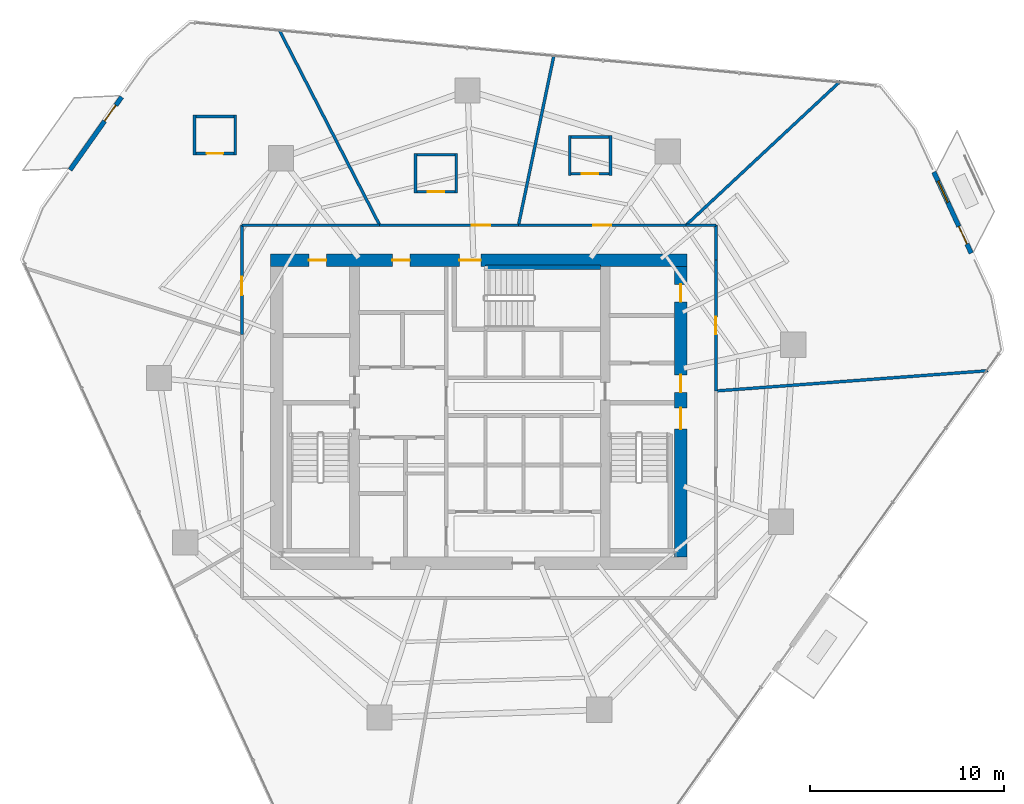
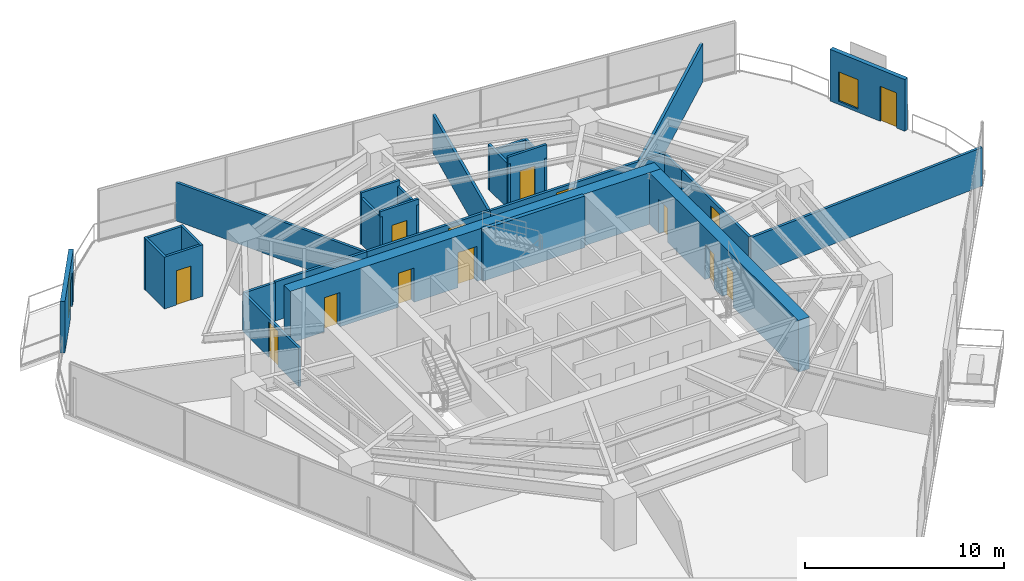
# One storey, part 27 of 30: 29 walls, 15 doors, 1 window, 16 openings.
"""IFC4 building model written with IfcOpenShell, lengths in metres."""

from ifc_helpers import new_model, si_unit, direction, frame, frame_2d, origin, place, context, subcontext, project, spatial, rectangle, extrude, material, layer, layer_set, type_object, element, fill, save


model = new_model("IFC4")

# Units and contexts
model_context = context("Model", 3, precision=1e-05, world=origin(), true_north=direction((0.0, 1.0)))
body_context = subcontext(model_context, "Body", "Model", "MODEL_VIEW")
ifc_project = project(units=[si_unit("LENGTHUNIT", "METRE"), si_unit("AREAUNIT", "SQUARE_METRE"), si_unit("VOLUMEUNIT", "CUBIC_METRE"), si_unit("PLANEANGLEUNIT", "RADIAN"), si_unit("MASSUNIT", "GRAM", prefix="KILO")], contexts=[model_context])

# Site, building, storey
site_placement = place(None, origin())
site = spatial("IfcSite", under=ifc_project, at=site_placement, CompositionType="ELEMENT")
building_placement = place(site_placement, origin())
building = spatial("IfcBuilding", under=site, at=building_placement, Name="Qarnah Convention Tower", CompositionType="ELEMENT")
storey_placement = place(building_placement, frame((0.0, 0.0, 47.699951171875)))
storey = spatial("IfcBuildingStorey", under=building, at=storey_placement, Name="L11", CompositionType="ELEMENT", Elevation=47.699951171875)

# Wall, openings, doors
ifc_material_1 = material(Name="Concrete C60/75", Category="concrete")
ifc_layer_1 = layer(ifc_material_1, 0.64990234375)
ifc_layer_set_1 = layer_set([ifc_layer_1], Name="Concrete C60/75")
wall_type_1 = type_object("IfcWallType", Name="WL-CORE-650", PredefinedType="SHEAR", material=ifc_layer_set_1)
wall_1_placement = place(storey_placement, frame((26.47509765625, 34.199951171875, 0.0), z_axis=(0.0, 0.0, 1.0), x_axis=(1.0, 0.0, 0.0)))
wall_1 = element("IfcWall", 1, at=wall_1_placement, inside=storey, type_object=wall_type_1, Name="L11 core north shear wall", PredefinedType="SHEAR", context=body_context, shape_type="SweptSolid", body=[
    extrude(rectangle(XDim=21.449951171875, YDim=0.64990234375, at=frame_2d((10.72509765625, 0.0))), origin(), (0.0, 0.0, 1.0), 3.170166015625),
])
opening_1_placement = place(wall_1_placement, frame((9.72509765625, 0.0, 0.0)))
opening_1 = element("IfcOpeningElement", 2, at=opening_1_placement, cuts=wall_1, Name="Opening D-1103", PredefinedType="OPENING", context=body_context, shape_type="SweptSolid", body=[
    extrude(rectangle(XDim=1.10009765625, YDim=2.14990234375, at=frame_2d((0.550048828125, 1.074951171875))), frame((0.0, 0.3349609375, 0.0), z_axis=(0.0, -1.0, 0.0), x_axis=(1.0, 0.0, 0.0)), (0.0, 0.0, 1.0), 0.669921875),
])
opening_2_placement = place(wall_1_placement, frame((1.97509765625, 0.0, 0.0)))
opening_2 = element("IfcOpeningElement", 3, at=opening_2_placement, cuts=wall_1, Name="Opening D-1109", PredefinedType="OPENING", context=body_context, shape_type="SweptSolid", body=[
    extrude(rectangle(XDim=0.89990234375, YDim=2.10009765625, at=frame_2d((0.449951171875, 1.050048828125))), frame((0.0, 0.3349609375, 0.0), z_axis=(0.0, -1.0, 0.0), x_axis=(1.0, 0.0, 0.0)), (0.0, 0.0, 1.0), 0.669921875),
])
opening_3_placement = place(wall_1_placement, frame((6.27490234375, 0.0, 0.0)))
opening_3 = element("IfcOpeningElement", 4, at=opening_3_placement, cuts=wall_1, Name="Opening D-1110", PredefinedType="OPENING", context=body_context, shape_type="SweptSolid", body=[
    extrude(rectangle(XDim=0.89990234375, YDim=2.10009765625, at=frame_2d((0.449951171875, 1.050048828125))), frame((0.0, 0.3349609375, 0.0), z_axis=(0.0, -1.0, 0.0), x_axis=(1.0, 0.0, 0.0)), (0.0, 0.0, 1.0), 0.669921875),
])
ifc_material_2 = material(Name="Structural steel S355JR", Category="steel")
door_type_1 = type_object("IfcDoorType", Name="DT-RISER-900", OperationType="NOTDEFINED", PredefinedType="DOOR", material=ifc_material_2)
door_1_placement = place(opening_2_placement, origin())
door_1 = element("IfcDoor", 5, at=door_1_placement, inside=storey, type_object=door_type_1, Name="Door D-1109", OperationType="SINGLE_SWING_LEFT", OverallHeight=2.10009765625, OverallWidth=0.89990234375, PredefinedType="DOOR", context=body_context, shape_type="SweptSolid", body=[
    extrude(rectangle(XDim=0.89990234375, YDim=2.10009765625, at=frame_2d((0.449951171875, 1.050048828125))), frame((0.0, 0.02490234375, 0.0), z_axis=(0.0, -1.0, 0.0), x_axis=(1.0, 0.0, 0.0)), (0.0, 0.0, 1.0), 0.050048828125),
])
fill(opening_2, door_1)
door_2_placement = place(opening_3_placement, origin())
door_2 = element("IfcDoor", 6, at=door_2_placement, inside=storey, type_object=door_type_1, Name="Door D-1110", OperationType="SINGLE_SWING_RIGHT", OverallHeight=2.10009765625, OverallWidth=0.89990234375, PredefinedType="DOOR", context=body_context, shape_type="SweptSolid", body=[
    extrude(rectangle(XDim=0.89990234375, YDim=2.10009765625, at=frame_2d((0.449951171875, 1.050048828125))), frame((0.0, 0.02490234375, 0.0), z_axis=(0.0, -1.0, 0.0), x_axis=(1.0, 0.0, 0.0)), (0.0, 0.0, 1.0), 0.050048828125),
])
fill(opening_3, door_2)
door_type_2 = type_object("IfcDoorType", Name="DT-STAIR-1100", OperationType="NOTDEFINED", PredefinedType="DOOR", material=ifc_material_2)
door_3_placement = place(opening_1_placement, origin())
door_3 = element("IfcDoor", 7, at=door_3_placement, inside=storey, type_object=door_type_2, Name="Door D-1103", OperationType="SINGLE_SWING_LEFT", OverallHeight=2.14990234375, OverallWidth=1.10009765625, PredefinedType="DOOR", context=body_context, shape_type="SweptSolid", body=[
    extrude(rectangle(XDim=1.10009765625, YDim=2.14990234375, at=frame_2d((0.550048828125, 1.074951171875))), frame((0.0, 0.02490234375, 0.0), z_axis=(0.0, -1.0, 0.0), x_axis=(1.0, 0.0, 0.0)), (0.0, 0.0, 1.0), 0.050048828125),
])
fill(opening_1, door_3)

wall_2_placement = place(storey_placement, frame((47.60009765625, 18.925048828125, 0.0), z_axis=(0.0, 0.0, 1.0), x_axis=(0.0, 1.0, 0.0)))
wall_2 = element("IfcWall", 8, at=wall_2_placement, inside=storey, type_object=wall_type_1, Name="L11 core east shear wall", PredefinedType="SHEAR", context=body_context, shape_type="SweptSolid", body=[
    extrude(rectangle(XDim=14.949951171875, YDim=0.64990234375, at=frame_2d((7.47509765625, 0.0))), origin(), (0.0, 0.0, 1.0), 3.170166015625),
])
opening_4_placement = place(wall_2_placement, frame((6.574951171875, 0.0, 0.0)))
opening_4 = element("IfcOpeningElement", 9, at=opening_4_placement, cuts=wall_2, Name="Opening D-1102", PredefinedType="OPENING", context=body_context, shape_type="SweptSolid", body=[
    extrude(rectangle(XDim=1.10009765625, YDim=2.14990234375, at=frame_2d((0.550048828125, 1.074951171875))), frame((0.0, 0.3349609375, 0.0), z_axis=(0.0, -1.0, 0.0), x_axis=(1.0, 0.0, 0.0)), (0.0, 0.0, 1.0), 0.669921875),
])
opening_5_placement = place(wall_2_placement, frame((8.47509765625, 0.0, 0.0)))
opening_5 = element("IfcOpeningElement", 10, at=opening_5_placement, cuts=wall_2, Name="Opening D-1106", PredefinedType="OPENING", context=body_context, shape_type="SweptSolid", body=[
    extrude(rectangle(XDim=0.89990234375, YDim=2.10009765625, at=frame_2d((0.449951171875, 1.050048828125))), frame((0.0, 0.3349609375, 0.0), z_axis=(0.0, -1.0, 0.0), x_axis=(1.0, 0.0, 0.0)), (0.0, 0.0, 1.0), 0.669921875),
])
opening_6_placement = place(wall_2_placement, frame((13.125, 0.0, 0.0)))
opening_6 = element("IfcOpeningElement", 11, at=opening_6_placement, cuts=wall_2, Name="Opening D-1112", PredefinedType="OPENING", context=body_context, shape_type="SweptSolid", body=[
    extrude(rectangle(XDim=0.89990234375, YDim=2.10009765625, at=frame_2d((0.449951171875, 1.050048828125))), frame((0.0, 0.3349609375, 0.0), z_axis=(0.0, -1.0, 0.0), x_axis=(1.0, 0.0, 0.0)), (0.0, 0.0, 1.0), 0.669921875),
])
door_4_placement = place(opening_5_placement, origin())
door_4 = element("IfcDoor", 12, at=door_4_placement, inside=storey, type_object=door_type_1, Name="Door D-1106", OperationType="SINGLE_SWING_RIGHT", OverallHeight=2.10009765625, OverallWidth=0.89990234375, PredefinedType="DOOR", context=body_context, shape_type="SweptSolid", body=[
    extrude(rectangle(XDim=0.89990234375, YDim=2.10009765625, at=frame_2d((0.449951171875, 1.050048828125))), frame((0.0, 0.02490234375, 0.0), z_axis=(0.0, -1.0, 0.0), x_axis=(1.0, 0.0, 0.0)), (0.0, 0.0, 1.0), 0.050048828125),
])
fill(opening_5, door_4)
door_5_placement = place(opening_6_placement, origin())
door_5 = element("IfcDoor", 13, at=door_5_placement, inside=storey, type_object=door_type_1, Name="Door D-1112", OperationType="SINGLE_SWING_RIGHT", OverallHeight=2.10009765625, OverallWidth=0.89990234375, PredefinedType="DOOR", context=body_context, shape_type="SweptSolid", body=[
    extrude(rectangle(XDim=0.89990234375, YDim=2.10009765625, at=frame_2d((0.449951171875, 1.050048828125))), frame((0.0, 0.02490234375, 0.0), z_axis=(0.0, -1.0, 0.0), x_axis=(1.0, 0.0, 0.0)), (0.0, 0.0, 1.0), 0.050048828125),
])
fill(opening_6, door_5)
door_6_placement = place(opening_4_placement, origin())
door_6 = element("IfcDoor", 14, at=door_6_placement, inside=storey, type_object=door_type_2, Name="Door D-1102", OperationType="SINGLE_SWING_RIGHT", OverallHeight=2.14990234375, OverallWidth=1.10009765625, PredefinedType="DOOR", context=body_context, shape_type="SweptSolid", body=[
    extrude(rectangle(XDim=1.10009765625, YDim=2.14990234375, at=frame_2d((0.550048828125, 1.074951171875))), frame((0.0, 0.02490234375, 0.0), z_axis=(0.0, -1.0, 0.0), x_axis=(1.0, 0.0, 0.0)), (0.0, 0.0, 1.0), 0.050048828125),
])
fill(opening_4, door_6)

# Wall
ifc_layer_2 = layer(ifc_material_1, 0.219970703125)
ifc_layer_set_2 = layer_set([ifc_layer_2], Name="Concrete C60/75")
wall_type_2 = type_object("IfcWallType", Name="WL-CORE-STAIR-220", PredefinedType="SHEAR", material=ifc_layer_set_2)
wall_3_placement = place(storey_placement, frame((37.550048828125, 33.840087890625, 0.0), z_axis=(0.0, 0.0, 1.0), x_axis=(1.0, 0.0, 0.0)))
element("IfcWall", 15, at=wall_3_placement, inside=storey, type_object=wall_type_2, Name="L11 stair shaft shear wall SW-L11-ST3N", PredefinedType="SHEAR", context=body_context, shape_type="SweptSolid", body=[
    extrude(rectangle(XDim=5.89990234375, YDim=0.219970703125, at=frame_2d((2.949951171875, 0.0))), origin(), (0.0, 0.0, 1.0), 3.170166015625),
])

# Wall, openings, door, window
ifc_material_3 = material(Name="Precast concrete C45/55", Category="concrete")
ifc_layer_3 = layer(ifc_material_3, 0.239990234375)
ifc_layer_set_3 = layer_set([ifc_layer_3], Name="Precast concrete C45/55")
wall_type_3 = type_object("IfcWallType", Name="WL-EXT-BAL-240", PredefinedType="SOLIDWALL", material=ifc_layer_set_3)
wall_4_placement = place(storey_placement, frame((60.6220703125, 38.737060546875, 0.0), z_axis=(0.0, 0.0, 1.0), x_axis=(0.418001098353, -0.908446521142, 0.0)))
wall_4 = element("IfcWall", 16, at=wall_4_placement, inside=storey, type_object=wall_type_3, Name="L11 loggia threshold wall BAL-L11-C1", PredefinedType="SOLIDWALL", context=body_context, shape_type="SweptSolid", body=[
    extrude(rectangle(XDim=4.60009765625, YDim=0.239990234375, at=frame_2d((2.300048828125, 0.0))), origin(), (0.0, 0.0, 1.0), 3.170166015625),
])
opening_7_placement = place(wall_4_placement, frame((3.080078125, 0.0, 0.0)))
opening_7 = element("IfcOpeningElement", 17, at=opening_7_placement, cuts=wall_4, Name="Opening BD-1101", PredefinedType="OPENING", context=body_context, shape_type="SweptSolid", body=[
    extrude(rectangle(XDim=1.0, YDim=2.14990234375, at=frame_2d((0.5, 1.074951171875))), frame((0.0, 0.1298828125, 0.0), z_axis=(0.0, -1.0, 0.0), x_axis=(1.0, 0.0, 0.0)), (0.0, 0.0, 1.0), 0.260009765625),
])
opening_8_placement = place(wall_4_placement, frame((0.52001953125, 0.0, 0.199951171875)))
opening_8 = element("IfcOpeningElement", 18, at=opening_8_placement, cuts=wall_4, Name="Opening WN5", PredefinedType="OPENING", context=body_context, shape_type="SweptSolid", body=[
    extrude(rectangle(XDim=1.199951171875, YDim=1.800048828125, at=frame_2d((0.60009765625, 0.89990234375))), frame((0.0, 0.1298828125, 0.0), z_axis=(0.0, -1.0, 0.0), x_axis=(1.0, 0.0, 0.0)), (0.0, 0.0, 1.0), 0.260009765625),
])
ifc_material_4 = material(Name="Black anodised aluminium", Category="aluminium")
door_type_3 = type_object("IfcDoorType", Name="DT-BAL-1000", OperationType="NOTDEFINED", PredefinedType="DOOR", material=ifc_material_4)
door_7_placement = place(opening_7_placement, origin())
door_7 = element("IfcDoor", 19, at=door_7_placement, inside=storey, type_object=door_type_3, Name="L11 balcony terrace door BAL-L11-C1", OperationType="SINGLE_SWING_LEFT", OverallHeight=2.14990234375, OverallWidth=1.0, PredefinedType="DOOR", context=body_context, shape_type="SweptSolid", body=[
    extrude(rectangle(XDim=1.0, YDim=2.14990234375, at=frame_2d((0.5, 1.074951171875))), frame((0.0, 0.02490234375, 0.0), z_axis=(0.0, -1.0, 0.0), x_axis=(1.0, 0.0, 0.0)), (0.0, 0.0, 1.0), 0.050048828125),
])
fill(opening_7, door_7)
ifc_material_5 = material(Name="Tempered Low-E dark glass", Category="glass")
window_type = type_object("IfcWindowType", Name="WT-BAL-1200X1800", PartitioningType="SINGLE_PANEL", PredefinedType="WINDOW", material=ifc_material_5)
window_placement = place(opening_8_placement, origin())
window = element("IfcWindow", 20, at=window_placement, inside=storey, type_object=window_type, Name="Window BW-BAL-L11-C1", OverallHeight=1.800048828125, OverallWidth=1.199951171875, PartitioningType="SINGLE_PANEL", PredefinedType="WINDOW", context=body_context, shape_type="SweptSolid", body=[
    extrude(rectangle(XDim=1.199951171875, YDim=1.800048828125, at=frame_2d((0.60009765625, 0.89990234375))), frame((0.0, 0.030029296875, 0.0), z_axis=(0.0, -1.0, 0.0), x_axis=(1.0, 0.0, 0.0)), (0.0, 0.0, 1.0), 0.06005859375),
])
fill(opening_8, window)

# Wall, opening, door
wall_5_placement = place(storey_placement, frame((16.156982421875, 38.844970703125, 0.0), z_axis=(0.0, 0.0, 1.0), x_axis=(0.577597585824, 0.816321645462, 0.0)))
wall_5 = element("IfcWall", 21, at=wall_5_placement, inside=storey, type_object=wall_type_3, Name="L11 loggia threshold wall BAL-L11-C2", PredefinedType="SOLIDWALL", context=body_context, shape_type="SweptSolid", body=[
    extrude(rectangle(XDim=4.60009765625, YDim=0.239990234375, at=frame_2d((2.300048828125, 0.0))), origin(), (0.0, 0.0, 1.0), 3.170166015625),
])
opening_9_placement = place(wall_5_placement, frame((3.080078125, 0.0, 0.0)))
opening_9 = element("IfcOpeningElement", 22, at=opening_9_placement, cuts=wall_5, Name="Opening BD-1102", PredefinedType="OPENING", context=body_context, shape_type="SweptSolid", body=[
    extrude(rectangle(XDim=1.0, YDim=2.14990234375, at=frame_2d((0.5, 1.074951171875))), frame((0.0, 0.1298828125, 0.0), z_axis=(0.0, -1.0, 0.0), x_axis=(1.0, 0.0, 0.0)), (0.0, 0.0, 1.0), 0.260009765625),
])
door_8_placement = place(opening_9_placement, origin())
door_8 = element("IfcDoor", 23, at=door_8_placement, inside=storey, type_object=door_type_3, Name="L11 balcony terrace door BAL-L11-C2", OperationType="SINGLE_SWING_RIGHT", OverallHeight=2.14990234375, OverallWidth=1.0, PredefinedType="DOOR", context=body_context, shape_type="SweptSolid", body=[
    extrude(rectangle(XDim=1.0, YDim=2.14990234375, at=frame_2d((0.5, 1.074951171875))), frame((0.0, 0.02490234375, 0.0), z_axis=(0.0, -1.0, 0.0), x_axis=(1.0, 0.0, 0.0)), (0.0, 0.0, 1.0), 0.050048828125),
])
fill(opening_9, door_8)

# Walls
ifc_material_6 = material(Name="Gypsum partition board")
ifc_layer_4 = layer(ifc_material_6, 0.14990234375)
ifc_layer_set_4 = layer_set([ifc_layer_4], Name="Gypsum partition board")
wall_type_4 = type_object("IfcWallType", Name="WL-SUITE-150", PredefinedType="PARTITIONING", material=ifc_layer_set_4)
wall_6_placement = place(storey_placement, frame((55.806884765625, 43.407958984375, 0.0), z_axis=(0.0, 0.0, 1.0), x_axis=(-0.731386276876, -0.681963425704, 0.0)))
element("IfcWall", 24, at=wall_6_placement, inside=storey, type_object=wall_type_4, Name="L11 interior wall IW-L11-R-13", PredefinedType="PARTITIONING", context=body_context, shape_type="SweptSolid", body=[
    extrude(rectangle(XDim=10.86279296875, YDim=0.14990234375, at=frame_2d((5.431396484375, 0.0))), origin(), (0.0, 0.0, 1.0), 2.35498046875),
])
wall_7_placement = place(storey_placement, frame((47.862060546875, 36.0, 0.0), z_axis=(0.0, 0.0, 1.0), x_axis=(1.0, 0.0, 0.0)))
element("IfcWall", 25, at=wall_7_placement, inside=storey, type_object=wall_type_4, Name="L11 interior wall IW-L11-R-14", PredefinedType="PARTITIONING", context=body_context, shape_type="SweptSolid", body=[
    extrude(rectangle(XDim=1.537841796875, YDim=0.14990234375, at=frame_2d((0.76904296875, 0.0))), origin(), (0.0, 0.0, 1.0), 2.35498046875),
])
wall_8_placement = place(storey_placement, frame((49.39990234375, 36.0, 0.0), z_axis=(0.0, 0.0, 1.0), x_axis=(0.0, -1.0, 0.0)))
element("IfcWall", 26, at=wall_8_placement, inside=storey, type_object=wall_type_4, Name="L11 interior wall IW-L11-R-15", PredefinedType="PARTITIONING", context=body_context, shape_type="SweptSolid", body=[
    extrude(rectangle(XDim=1.800048828125, YDim=0.14990234375, at=frame_2d((0.89990234375, 0.0))), origin(), (0.0, 0.0, 1.0), 2.35498046875),
])

# Wall, opening, door
wall_9_placement = place(storey_placement, frame((49.39990234375, 34.199951171875, 0.0), z_axis=(0.0, 0.0, 1.0), x_axis=(0.0, -1.0, 0.0)))
wall_9 = element("IfcWall", 27, at=wall_9_placement, inside=storey, type_object=wall_type_4, Name="L11 interior wall IW-L11-R-16", PredefinedType="PARTITIONING", context=body_context, shape_type="SweptSolid", body=[
    extrude(rectangle(XDim=6.73291015625, YDim=0.14990234375, at=frame_2d((3.366455078125, 0.0))), origin(), (0.0, 0.0, 1.0), 2.39501953125),
])
opening_10_placement = place(wall_9_placement, frame((2.9169921875, 0.0, 0.0)))
opening_10 = element("IfcOpeningElement", 28, at=opening_10_placement, cuts=wall_9, Name="Opening D-1116", PredefinedType="OPENING", context=body_context, shape_type="SweptSolid", body=[
    extrude(rectangle(XDim=0.89990234375, YDim=2.0, at=frame_2d((0.449951171875, 1.0))), frame((0.0, 0.0849609375, 0.0), z_axis=(0.0, -1.0, 0.0), x_axis=(1.0, 0.0, 0.0)), (0.0, 0.0, 1.0), 0.169921875),
])
door_type_4 = type_object("IfcDoorType", Name="DT-PLANT-900", OperationType="NOTDEFINED", PredefinedType="DOOR", material=ifc_material_2)
door_9_placement = place(opening_10_placement, origin())
door_9 = element("IfcDoor", 29, at=door_9_placement, inside=storey, type_object=door_type_4, Name="Door D-1116", OperationType="SINGLE_SWING_RIGHT", OverallHeight=2.0, OverallWidth=0.89990234375, PredefinedType="DOOR", context=body_context, shape_type="SweptSolid", body=[
    extrude(rectangle(XDim=0.89990234375, YDim=2.0, at=frame_2d((0.449951171875, 1.0))), frame((0.0, 0.02490234375, 0.0), z_axis=(0.0, -1.0, 0.0), x_axis=(1.0, 0.0, 0.0)), (0.0, 0.0, 1.0), 0.050048828125),
])
fill(opening_10, door_9)

# Walls
wall_10_placement = place(storey_placement, frame((49.39990234375, 27.467041015625, 0.0), z_axis=(0.0, 0.0, 1.0), x_axis=(0.997236568173, 0.074291500845, 0.0)))
element("IfcWall", 30, at=wall_10_placement, inside=storey, type_object=wall_type_4, Name="L11 interior wall IW-L11-R-17", PredefinedType="PARTITIONING", context=body_context, shape_type="SweptSolid", body=[
    extrude(rectangle(XDim=14.052001953125, YDim=0.14990234375, at=frame_2d((7.02587890625, 0.0))), origin(), (0.0, 0.0, 1.0), 2.35498046875),
])
wall_11_placement = place(storey_placement, frame((41.06689453125, 44.75, 0.0), z_axis=(0.0, 0.0, 1.0), x_axis=(-0.20427709587, -0.978913105492, 0.0)))
element("IfcWall", 31, at=wall_11_placement, inside=storey, type_object=wall_type_4, Name="L11 interior wall IW-L11-R-18", PredefinedType="PARTITIONING", context=body_context, shape_type="SweptSolid", body=[
    extrude(rectangle(XDim=8.9384765625, YDim=0.14990234375, at=frame_2d((4.46923828125, 0.0))), origin(), (0.0, 0.0, 1.0), 2.35498046875),
])

# Wall, opening, door
wall_12_placement = place(storey_placement, frame((39.240966796875, 36.0, 0.0), z_axis=(0.0, 0.0, 1.0), x_axis=(1.0, 0.0, 0.0)))
wall_12 = element("IfcWall", 32, at=wall_12_placement, inside=storey, type_object=wall_type_4, Name="L11 interior wall IW-L11-R-19", PredefinedType="PARTITIONING", context=body_context, shape_type="SweptSolid", body=[
    extrude(rectangle(XDim=8.62109375, YDim=0.14990234375, at=frame_2d((4.310546875, 0.0))), origin(), (0.0, 0.0, 1.0), 2.39501953125),
])
opening_11_placement = place(wall_12_placement, frame((3.8359375, 0.0, 0.0)))
opening_11 = element("IfcOpeningElement", 33, at=opening_11_placement, cuts=wall_12, Name="Opening D-1117", PredefinedType="OPENING", context=body_context, shape_type="SweptSolid", body=[
    extrude(rectangle(XDim=0.949951171875, YDim=2.14990234375, at=frame_2d((0.47509765625, 1.074951171875))), frame((0.0, 0.0849609375, 0.0), z_axis=(0.0, -1.0, 0.0), x_axis=(1.0, 0.0, 0.0)), (0.0, 0.0, 1.0), 0.169921875),
])
ifc_material_7 = material(Name="Oak timber veneer", Category="wood")
door_type_5 = type_object("IfcDoorType", Name="DT-HOTEL-950", OperationType="NOTDEFINED", PredefinedType="DOOR", material=ifc_material_7)
door_10_placement = place(opening_11_placement, origin())
door_10 = element("IfcDoor", 34, at=door_10_placement, inside=storey, type_object=door_type_5, Name="Door D-1117", OperationType="SINGLE_SWING_LEFT", OverallHeight=2.14990234375, OverallWidth=0.949951171875, PredefinedType="DOOR", context=body_context, shape_type="SweptSolid", body=[
    extrude(rectangle(XDim=0.949951171875, YDim=2.14990234375, at=frame_2d((0.47509765625, 1.074951171875))), frame((0.0, 0.02490234375, 0.0), z_axis=(0.0, -1.0, 0.0), x_axis=(1.0, 0.0, 0.0)), (0.0, 0.0, 1.0), 0.050048828125),
])
fill(opening_11, door_10)

# Wall
wall_13_placement = place(storey_placement, frame((26.9150390625, 46.070068359375, 0.0), z_axis=(0.0, 0.0, 1.0), x_axis=(0.457488783037, -0.889215392014, 0.0)))
element("IfcWall", 35, at=wall_13_placement, inside=storey, type_object=wall_type_4, Name="L11 interior wall IW-L11-R-20", PredefinedType="PARTITIONING", context=body_context, shape_type="SweptSolid", body=[
    extrude(rectangle(XDim=11.32470703125, YDim=0.14990234375, at=frame_2d((5.662353515625, 0.0))), origin(), (0.0, 0.0, 1.0), 2.35498046875),
])

# Wall, opening, door
wall_14_placement = place(storey_placement, frame((32.095947265625, 36.0, 0.0), z_axis=(0.0, 0.0, 1.0), x_axis=(1.0, 0.0, 0.0)))
wall_14 = element("IfcWall", 36, at=wall_14_placement, inside=storey, type_object=wall_type_4, Name="L11 interior wall IW-L11-R-21", PredefinedType="PARTITIONING", context=body_context, shape_type="SweptSolid", body=[
    extrude(rectangle(XDim=7.14501953125, YDim=0.14990234375, at=frame_2d((3.572509765625, 0.0))), origin(), (0.0, 0.0, 1.0), 2.39501953125),
])
opening_12_placement = place(wall_14_placement, frame((4.72998046875, 0.0, 0.0)))
opening_12 = element("IfcOpeningElement", 37, at=opening_12_placement, cuts=wall_14, Name="Opening D-1119", PredefinedType="OPENING", context=body_context, shape_type="SweptSolid", body=[
    extrude(rectangle(XDim=0.949951171875, YDim=2.14990234375, at=frame_2d((0.47509765625, 1.074951171875))), frame((0.0, 0.0849609375, 0.0), z_axis=(0.0, -1.0, 0.0), x_axis=(1.0, 0.0, 0.0)), (0.0, 0.0, 1.0), 0.169921875),
])
door_11_placement = place(opening_12_placement, origin())
door_11 = element("IfcDoor", 38, at=door_11_placement, inside=storey, type_object=door_type_5, Name="Door D-1119", OperationType="SINGLE_SWING_LEFT", OverallHeight=2.14990234375, OverallWidth=0.949951171875, PredefinedType="DOOR", context=body_context, shape_type="SweptSolid", body=[
    extrude(rectangle(XDim=0.949951171875, YDim=2.14990234375, at=frame_2d((0.47509765625, 1.074951171875))), frame((0.0, 0.02490234375, 0.0), z_axis=(0.0, -1.0, 0.0), x_axis=(1.0, 0.0, 0.0)), (0.0, 0.0, 1.0), 0.050048828125),
])
fill(opening_12, door_11)

wall_15_placement = place(storey_placement, frame((25.0, 30.364013671875, 0.0), z_axis=(0.0, 0.0, 1.0), x_axis=(0.0, 1.0, 0.0)))
wall_15 = element("IfcWall", 39, at=wall_15_placement, inside=storey, type_object=wall_type_4, Name="L11 interior wall IW-L11-R-23", PredefinedType="PARTITIONING", context=body_context, shape_type="SweptSolid", body=[
    extrude(rectangle(XDim=5.635986328125, YDim=0.14990234375, at=frame_2d((2.81787109375, 0.0))), origin(), (0.0, 0.0, 1.0), 2.35498046875),
])
opening_13_placement = place(wall_15_placement, frame((2.04296875, 0.0, 0.0)))
opening_13 = element("IfcOpeningElement", 40, at=opening_13_placement, cuts=wall_15, Name="Opening D-1121", PredefinedType="OPENING", context=body_context, shape_type="SweptSolid", body=[
    extrude(rectangle(XDim=0.949951171875, YDim=2.14990234375, at=frame_2d((0.47509765625, 1.074951171875))), frame((0.0, 0.0849609375, 0.0), z_axis=(0.0, -1.0, 0.0), x_axis=(1.0, 0.0, 0.0)), (0.0, 0.0, 1.0), 0.169921875),
])
door_12_placement = place(opening_13_placement, origin())
door_12 = element("IfcDoor", 41, at=door_12_placement, inside=storey, type_object=door_type_5, Name="Door D-1121", OperationType="SINGLE_SWING_LEFT", OverallHeight=2.14990234375, OverallWidth=0.949951171875, PredefinedType="DOOR", context=body_context, shape_type="SweptSolid", body=[
    extrude(rectangle(XDim=0.949951171875, YDim=2.14990234375, at=frame_2d((0.47509765625, 1.074951171875))), frame((0.0, 0.02490234375, 0.0), z_axis=(0.0, -1.0, 0.0), x_axis=(1.0, 0.0, 0.0)), (0.0, 0.0, 1.0), 0.050048828125),
])
fill(opening_13, door_12)

# Walls
wall_16_placement = place(storey_placement, frame((25.0, 36.0, 0.0), z_axis=(0.0, 0.0, 1.0), x_axis=(1.0, 0.0, 0.0)))
element("IfcWall", 42, at=wall_16_placement, inside=storey, type_object=wall_type_4, Name="L11 interior wall IW-L11-R-24", PredefinedType="PARTITIONING", context=body_context, shape_type="SweptSolid", body=[
    extrude(rectangle(XDim=1.800048828125, YDim=0.14990234375, at=frame_2d((0.89990234375, 0.0))), origin(), (0.0, 0.0, 1.0), 2.35498046875),
])
wall_17_placement = place(storey_placement, frame((26.800048828125, 36.0, 0.0), z_axis=(0.0, 0.0, 1.0), x_axis=(1.0, 0.0, 0.0)))
element("IfcWall", 43, at=wall_17_placement, inside=storey, type_object=wall_type_4, Name="L11 interior wall IW-L11-R-25", PredefinedType="PARTITIONING", context=body_context, shape_type="SweptSolid", body=[
    extrude(rectangle(XDim=5.2958984375, YDim=0.14990234375, at=frame_2d((2.64794921875, 0.0))), origin(), (0.0, 0.0, 1.0), 2.39501953125),
])

# Wall, opening, door
ifc_layer_5 = layer(ifc_material_6, 0.139892578125)
ifc_layer_set_5 = layer_set([ifc_layer_5], Name="Gypsum partition board")
wall_type_5 = type_object("IfcWallType", Name="WL-WET-140", PredefinedType="PARTITIONING", material=ifc_layer_set_5)
wall_18_placement = place(storey_placement, frame((41.806884765625, 38.64208984375, 0.0), z_axis=(0.0, 0.0, 1.0), x_axis=(1.0, 0.0, 0.0)))
wall_18 = element("IfcWall", 44, at=wall_18_placement, inside=storey, type_object=wall_type_5, Name="L11 interior wall IW-L11-ENS01-1", PredefinedType="PARTITIONING", context=body_context, shape_type="SweptSolid", body=[
    extrude(rectangle(XDim=2.240234375, YDim=0.139892578125, at=frame_2d((1.1201171875, 0.0))), origin(), (0.0, 0.0, 1.0), 3.170166015625),
])
opening_14_placement = place(wall_18_placement, frame((0.695068359375, 0.0, 0.0)))
opening_14 = element("IfcOpeningElement", 45, at=opening_14_placement, cuts=wall_18, Name="Opening D-1118", PredefinedType="OPENING", context=body_context, shape_type="SweptSolid", body=[
    extrude(rectangle(XDim=0.85009765625, YDim=2.10009765625, at=frame_2d((0.425048828125, 1.050048828125))), frame((0.0, 0.079833984375, 0.0), z_axis=(0.0, -1.0, 0.0), x_axis=(1.0, 0.0, 0.0)), (0.0, 0.0, 1.0), 0.159912109375),
])
door_type_6 = type_object("IfcDoorType", Name="DT-BATH-850", OperationType="NOTDEFINED", PredefinedType="DOOR", material=ifc_material_7)
door_13_placement = place(opening_14_placement, origin())
door_13 = element("IfcDoor", 46, at=door_13_placement, inside=storey, type_object=door_type_6, Name="Door D-1118", OperationType="SINGLE_SWING_RIGHT", OverallHeight=2.10009765625, OverallWidth=0.85009765625, PredefinedType="DOOR", context=body_context, shape_type="SweptSolid", body=[
    extrude(rectangle(XDim=0.85009765625, YDim=2.10009765625, at=frame_2d((0.425048828125, 1.050048828125))), frame((0.0, 0.02490234375, 0.0), z_axis=(0.0, -1.0, 0.0), x_axis=(1.0, 0.0, 0.0)), (0.0, 0.0, 1.0), 0.050048828125),
])
fill(opening_14, door_13)

# Walls
wall_19_placement = place(storey_placement, frame((43.97705078125, 38.572021484375, 0.0), z_axis=(0.0, 0.0, 1.0), x_axis=(0.0, 1.0, 0.0)))
element("IfcWall", 47, at=wall_19_placement, inside=storey, type_object=wall_type_5, Name="L11 interior wall IW-L11-ENS01-2", PredefinedType="PARTITIONING", context=body_context, shape_type="SweptSolid", body=[
    extrude(rectangle(XDim=2.0400390625, YDim=0.139892578125, at=frame_2d((1.02001953125, 0.0))), origin(), (0.0, 0.0, 1.0), 2.35498046875),
])
wall_20_placement = place(storey_placement, frame((44.047119140625, 40.5419921875, 0.0), z_axis=(0.0, 0.0, 1.0), x_axis=(-1.0, 0.0, 0.0)))
element("IfcWall", 48, at=wall_20_placement, inside=storey, type_object=wall_type_5, Name="L11 interior wall IW-L11-ENS01-3", PredefinedType="PARTITIONING", context=body_context, shape_type="SweptSolid", body=[
    extrude(rectangle(XDim=2.240234375, YDim=0.139892578125, at=frame_2d((1.1201171875, 0.0))), origin(), (0.0, 0.0, 1.0), 2.35498046875),
])
wall_21_placement = place(storey_placement, frame((41.876953125, 40.612060546875, 0.0), z_axis=(0.0, 0.0, 1.0), x_axis=(0.0, -1.0, 0.0)))
element("IfcWall", 49, at=wall_21_placement, inside=storey, type_object=wall_type_5, Name="L11 interior wall IW-L11-ENS01-4", PredefinedType="PARTITIONING", context=body_context, shape_type="SweptSolid", body=[
    extrude(rectangle(XDim=2.0400390625, YDim=0.139892578125, at=frame_2d((1.02001953125, 0.0))), origin(), (0.0, 0.0, 1.0), 2.7470703125),
])

# Wall, opening, door
wall_22_placement = place(storey_placement, frame((33.865966796875, 37.72509765625, 0.0), z_axis=(0.0, 0.0, 1.0), x_axis=(1.0, 0.0, 0.0)))
wall_22 = element("IfcWall", 50, at=wall_22_placement, inside=storey, type_object=wall_type_5, Name="L11 interior wall IW-L11-ENS02-1", PredefinedType="PARTITIONING", context=body_context, shape_type="SweptSolid", body=[
    extrude(rectangle(XDim=2.239990234375, YDim=0.139892578125, at=frame_2d((1.1201171875, 0.0))), origin(), (0.0, 0.0, 1.0), 3.170166015625),
])
opening_15_placement = place(wall_22_placement, frame((0.695068359375, 0.0, 0.0)))
opening_15 = element("IfcOpeningElement", 51, at=opening_15_placement, cuts=wall_22, Name="Opening D-1120", PredefinedType="OPENING", context=body_context, shape_type="SweptSolid", body=[
    extrude(rectangle(XDim=0.85009765625, YDim=2.10009765625, at=frame_2d((0.425048828125, 1.050048828125))), frame((0.0, 0.079833984375, 0.0), z_axis=(0.0, -1.0, 0.0), x_axis=(1.0, 0.0, 0.0)), (0.0, 0.0, 1.0), 0.159912109375),
])
door_14_placement = place(opening_15_placement, origin())
door_14 = element("IfcDoor", 52, at=door_14_placement, inside=storey, type_object=door_type_6, Name="Door D-1120", OperationType="SINGLE_SWING_RIGHT", OverallHeight=2.10009765625, OverallWidth=0.85009765625, PredefinedType="DOOR", context=body_context, shape_type="SweptSolid", body=[
    extrude(rectangle(XDim=0.85009765625, YDim=2.10009765625, at=frame_2d((0.425048828125, 1.050048828125))), frame((0.0, 0.02490234375, 0.0), z_axis=(0.0, -1.0, 0.0), x_axis=(1.0, 0.0, 0.0)), (0.0, 0.0, 1.0), 0.050048828125),
])
fill(opening_15, door_14)

# Walls
wall_23_placement = place(storey_placement, frame((36.035888671875, 37.655029296875, 0.0), z_axis=(0.0, 0.0, 1.0), x_axis=(0.0, 1.0, 0.0)))
element("IfcWall", 53, at=wall_23_placement, inside=storey, type_object=wall_type_5, Name="L11 interior wall IW-L11-ENS02-2", PredefinedType="PARTITIONING", context=body_context, shape_type="SweptSolid", body=[
    extrude(rectangle(XDim=2.0400390625, YDim=0.139892578125, at=frame_2d((1.02001953125, 0.0))), origin(), (0.0, 0.0, 1.0), 2.843017578125),
])
wall_24_placement = place(storey_placement, frame((36.10595703125, 39.625, 0.0), z_axis=(0.0, 0.0, 1.0), x_axis=(-1.0, 0.0, 0.0)))
element("IfcWall", 54, at=wall_24_placement, inside=storey, type_object=wall_type_5, Name="L11 interior wall IW-L11-ENS02-3", PredefinedType="PARTITIONING", context=body_context, shape_type="SweptSolid", body=[
    extrude(rectangle(XDim=2.239990234375, YDim=0.139892578125, at=frame_2d((1.1201171875, 0.0))), origin(), (0.0, 0.0, 1.0), 3.170166015625),
])
wall_25_placement = place(storey_placement, frame((33.93603515625, 39.695068359375, 0.0), z_axis=(0.0, 0.0, 1.0), x_axis=(0.0, -1.0, 0.0)))
element("IfcWall", 55, at=wall_25_placement, inside=storey, type_object=wall_type_5, Name="L11 interior wall IW-L11-ENS02-4", PredefinedType="PARTITIONING", context=body_context, shape_type="SweptSolid", body=[
    extrude(rectangle(XDim=2.0400390625, YDim=0.139892578125, at=frame_2d((1.02001953125, 0.0))), origin(), (0.0, 0.0, 1.0), 2.843017578125),
])

# Wall, opening, door
wall_26_placement = place(storey_placement, frame((22.492919921875, 39.69189453125, 0.0), z_axis=(0.0, 0.0, 1.0), x_axis=(1.0, 0.0, 0.0)))
wall_26 = element("IfcWall", 56, at=wall_26_placement, inside=storey, type_object=wall_type_5, Name="L11 interior wall IW-L11-ENS03-1", PredefinedType="PARTITIONING", context=body_context, shape_type="SweptSolid", body=[
    extrude(rectangle(XDim=2.239990234375, YDim=0.139892578125, at=frame_2d((1.1201171875, 0.0))), origin(), (0.0, 0.0, 1.0), 3.170166015625),
])
opening_16_placement = place(wall_26_placement, frame((0.695068359375, 0.0, 0.0)))
opening_16 = element("IfcOpeningElement", 57, at=opening_16_placement, cuts=wall_26, Name="Opening D-1122", PredefinedType="OPENING", context=body_context, shape_type="SweptSolid", body=[
    extrude(rectangle(XDim=0.85009765625, YDim=2.10009765625, at=frame_2d((0.425048828125, 1.050048828125))), frame((0.0, 0.079833984375, 0.0), z_axis=(0.0, -1.0, 0.0), x_axis=(1.0, 0.0, 0.0)), (0.0, 0.0, 1.0), 0.159912109375),
])
door_15_placement = place(opening_16_placement, origin())
door_15 = element("IfcDoor", 58, at=door_15_placement, inside=storey, type_object=door_type_6, Name="Door D-1122", OperationType="SINGLE_SWING_RIGHT", OverallHeight=2.10009765625, OverallWidth=0.85009765625, PredefinedType="DOOR", context=body_context, shape_type="SweptSolid", body=[
    extrude(rectangle(XDim=0.85009765625, YDim=2.10009765625, at=frame_2d((0.425048828125, 1.050048828125))), frame((0.0, 0.02490234375, 0.0), z_axis=(0.0, -1.0, 0.0), x_axis=(1.0, 0.0, 0.0)), (0.0, 0.0, 1.0), 0.050048828125),
])
fill(opening_16, door_15)

# Walls
wall_27_placement = place(storey_placement, frame((24.6630859375, 39.6220703125, 0.0), z_axis=(0.0, 0.0, 1.0), x_axis=(0.0, 1.0, 0.0)))
element("IfcWall", 59, at=wall_27_placement, inside=storey, type_object=wall_type_5, Name="L11 interior wall IW-L11-ENS03-2", PredefinedType="PARTITIONING", context=body_context, shape_type="SweptSolid", body=[
    extrude(rectangle(XDim=2.0400390625, YDim=0.139892578125, at=frame_2d((1.02001953125, 0.0))), origin(), (0.0, 0.0, 1.0), 3.170166015625),
])
wall_28_placement = place(storey_placement, frame((24.73291015625, 41.592041015625, 0.0), z_axis=(0.0, 0.0, 1.0), x_axis=(-1.0, 0.0, 0.0)))
element("IfcWall", 60, at=wall_28_placement, inside=storey, type_object=wall_type_5, Name="L11 interior wall IW-L11-ENS03-3", PredefinedType="PARTITIONING", context=body_context, shape_type="SweptSolid", body=[
    extrude(rectangle(XDim=2.239990234375, YDim=0.139892578125, at=frame_2d((1.1201171875, 0.0))), origin(), (0.0, 0.0, 1.0), 3.170166015625),
])
wall_29_placement = place(storey_placement, frame((22.56298828125, 41.662109375, 0.0), z_axis=(0.0, 0.0, 1.0), x_axis=(0.0, -1.0, 0.0)))
element("IfcWall", 61, at=wall_29_placement, inside=storey, type_object=wall_type_5, Name="L11 interior wall IW-L11-ENS03-4", PredefinedType="PARTITIONING", context=body_context, shape_type="SweptSolid", body=[
    extrude(rectangle(XDim=2.0400390625, YDim=0.139892578125, at=frame_2d((1.02001953125, 0.0))), origin(), (0.0, 0.0, 1.0), 3.170166015625),
])

save(model, "model.ifc")
